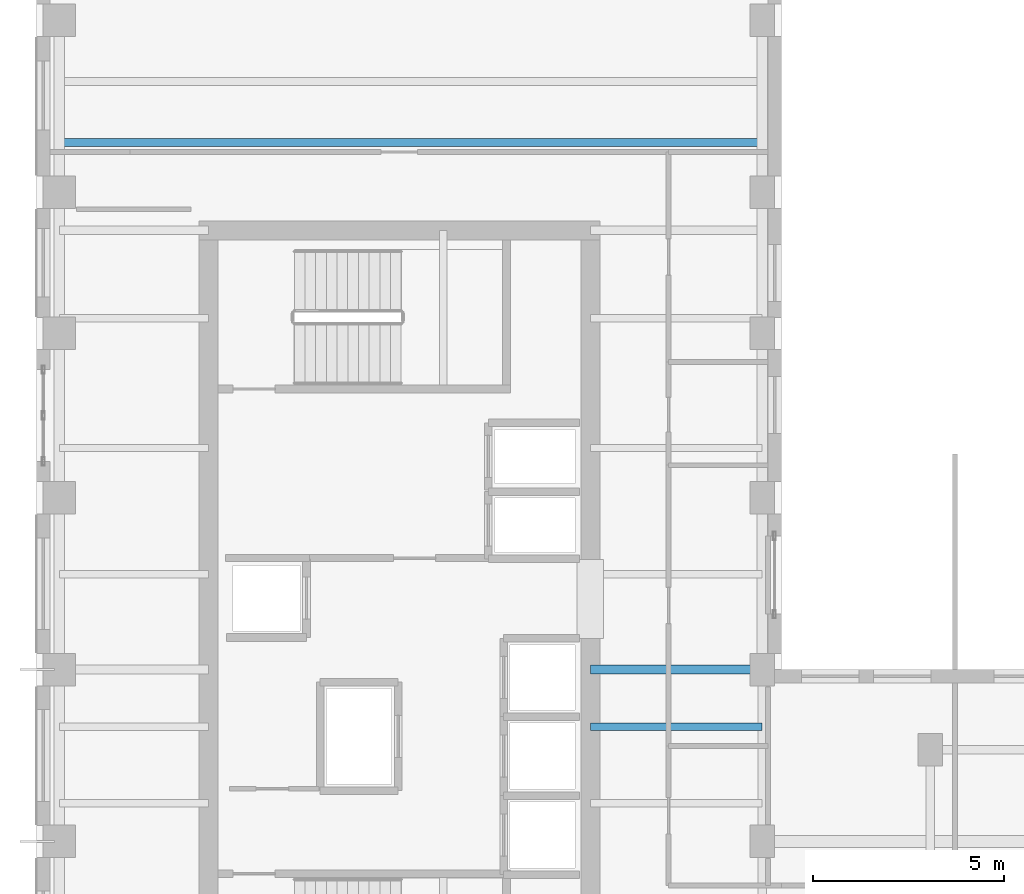
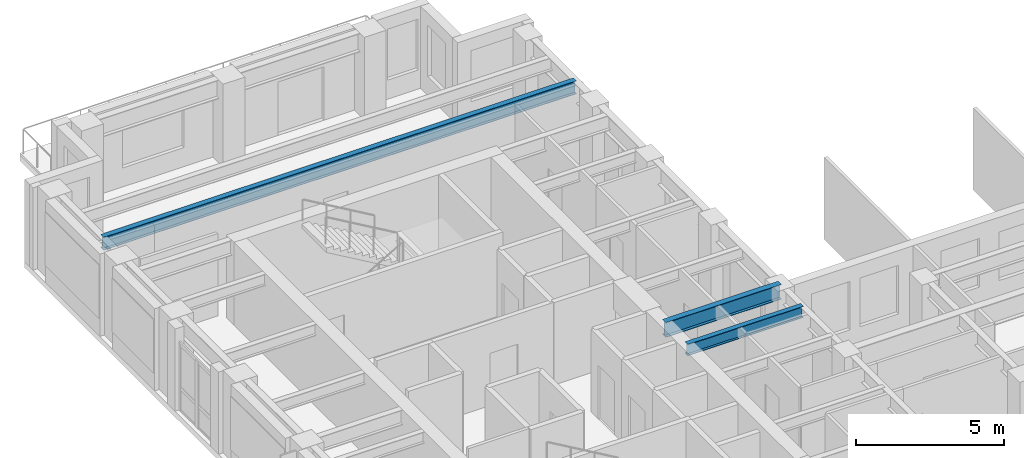
# One storey, part 3 of 14: 3 beams.
"""IFC4 building model written with IfcOpenShell, lengths in metres."""

from ifc_helpers import new_model, si_unit, direction, frame, origin, origin_2d, place, context, subcontext, project, spatial, i_section, extrude, source, transform, mapped, material, material_profile, profile_set, type_object, element, save


model = new_model("IFC4")

# Units and contexts
model_context = context("Model", 3, precision=1e-05, world=origin(), true_north=direction((0.0, 1.0)))
body_context = subcontext(model_context, "Body", "Model", "MODEL_VIEW")
ifc_project = project(units=[si_unit("LENGTHUNIT", "METRE"), si_unit("AREAUNIT", "SQUARE_METRE"), si_unit("VOLUMEUNIT", "CUBIC_METRE"), si_unit("PLANEANGLEUNIT", "RADIAN"), si_unit("MASSUNIT", "GRAM", prefix="KILO")], contexts=[model_context])

# Site, building, storey
site_placement = place(None, origin())
site = spatial("IfcSite", under=ifc_project, at=site_placement, CompositionType="ELEMENT")
building_placement = place(site_placement, origin())
building = spatial("IfcBuilding", under=site, at=building_placement, Name="Kharzan Plaza Tower", CompositionType="ELEMENT")
storey_placement = place(building_placement, frame((0.0, 0.0, 212.39990234375)))
storey = spatial("IfcBuildingStorey", under=building, at=storey_placement, Name="L57", CompositionType="ELEMENT", Elevation=212.39990234375)

# Beams
ifc_material = material(Name="Steel S355", Category="steel")
ifc_material_profile_1 = material_profile(ifc_material, i_section(OverallWidth=0.2099609375, OverallDepth=0.537109375, WebThickness=0.010986328125, FlangeThickness=0.017333984375, at=origin_2d()), Name="W530x101")
ifc_profile_set_1 = profile_set([ifc_material_profile_1], Name="Steel S355")
beam_type_1 = type_object("IfcBeamType", Name="BM-JST530B", PredefinedType="JOIST", material=ifc_profile_set_1)
shared_shape_1 = source(origin(), body_context, "Body", "SweptSolid", [
    extrude(i_section(OverallWidth=0.2099609375, OverallDepth=0.537109375, WebThickness=0.010986328125, FlangeThickness=0.017333984375, at=origin_2d()), origin(), (0.0, 0.0, 1.0), 18.39990234375),
])
beam_1_placement = place(storey_placement, frame((0.60009765625, 31.800048828125, 3.131591796875), z_axis=(1.0, 0.0, 0.0), x_axis=(0.0, 1.0, 0.0)))
element("IfcBeam", 1, at=beam_1_placement, inside=storey, type_object=beam_type_1, Name="L57 Wing A Composite Joist 04", PredefinedType="JOIST", context=body_context, shape_type="MappedRepresentation", body=[
    mapped(shared_shape_1, transform((0.0, 0.0, 0.0), x_axis=(1.0, 0.0, 0.0), y_axis=(0.0, 1.0, 0.0), z_axis=(0.0, 0.0, 1.0))),
])
ifc_material_profile_2 = material_profile(ifc_material, i_section(OverallWidth=0.194091796875, OverallDepth=0.468994140625, WebThickness=0.011474609375, FlangeThickness=0.0205078125, at=origin_2d()), Name="W460x106")
ifc_profile_set_2 = profile_set([ifc_material_profile_2], Name="Steel S355")
beam_type_2 = type_object("IfcBeamType", Name="BM-JST460", PredefinedType="JOIST", material=ifc_profile_set_2)
shared_shape_2 = source(origin(), body_context, "Body", "SweptSolid", [
    extrude(i_section(OverallWidth=0.194091796875, OverallDepth=0.468994140625, WebThickness=0.011474609375, FlangeThickness=0.0205078125, at=origin_2d()), origin(), (0.0, 0.0, 1.0), 4.5),
])
beam_2_placement = place(storey_placement, frame((14.5, 16.5, 3.16552734375), z_axis=(1.0, 0.0, 0.0), x_axis=(0.0, 1.0, 0.0)))
element("IfcBeam", 2, at=beam_2_placement, inside=storey, type_object=beam_type_2, Name="L57 Wing A East Infill Joist 3", PredefinedType="JOIST", context=body_context, shape_type="MappedRepresentation", body=[
    mapped(shared_shape_2, transform((0.0, 0.0, 0.0), x_axis=(1.0, 0.0, 0.0), y_axis=(0.0, 1.0, 0.0), z_axis=(0.0, 0.0, 1.0))),
])
ifc_material_profile_3 = material_profile(ifc_material, i_section(OverallWidth=0.22900390625, OverallDepth=0.612060546875, WebThickness=0.011962890625, FlangeThickness=0.01953125, at=origin_2d()), Name="W610x125")
ifc_profile_set_3 = profile_set([ifc_material_profile_3], Name="Steel S355")
beam_type_3 = type_object("IfcBeamType", Name="BM-FG610B", PredefinedType="BEAM", material=ifc_profile_set_3)
shared_shape_3 = source(origin(), body_context, "Body", "SweptSolid", [
    extrude(i_section(OverallWidth=0.22900390625, OverallDepth=0.612060546875, WebThickness=0.011962890625, FlangeThickness=0.01953125, at=origin_2d()), origin(), (0.0, 0.0, 1.0), 4.5),
])
beam_3_placement = place(storey_placement, frame((14.5, 18.0, 3.093994140625), z_axis=(1.0, 0.0, 0.0), x_axis=(0.0, 1.0, 0.0)))
element("IfcBeam", 3, at=beam_3_placement, inside=storey, type_object=beam_type_3, Name="L57 Core-A East Floor Girder 2", PredefinedType="BEAM", context=body_context, shape_type="MappedRepresentation", body=[
    mapped(shared_shape_3, transform((0.0, 0.0, 0.0), x_axis=(1.0, 0.0, 0.0), y_axis=(0.0, 1.0, 0.0), z_axis=(0.0, 0.0, 1.0))),
])

save(model, "model.ifc")
